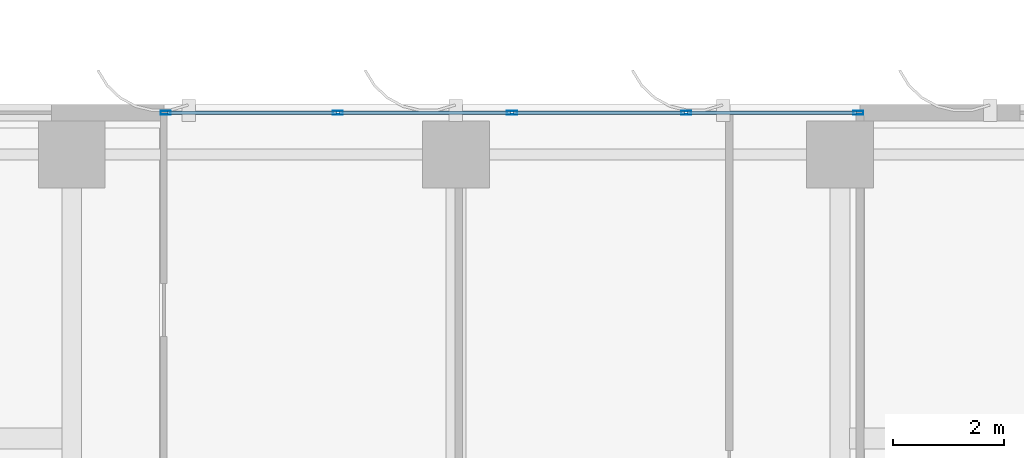
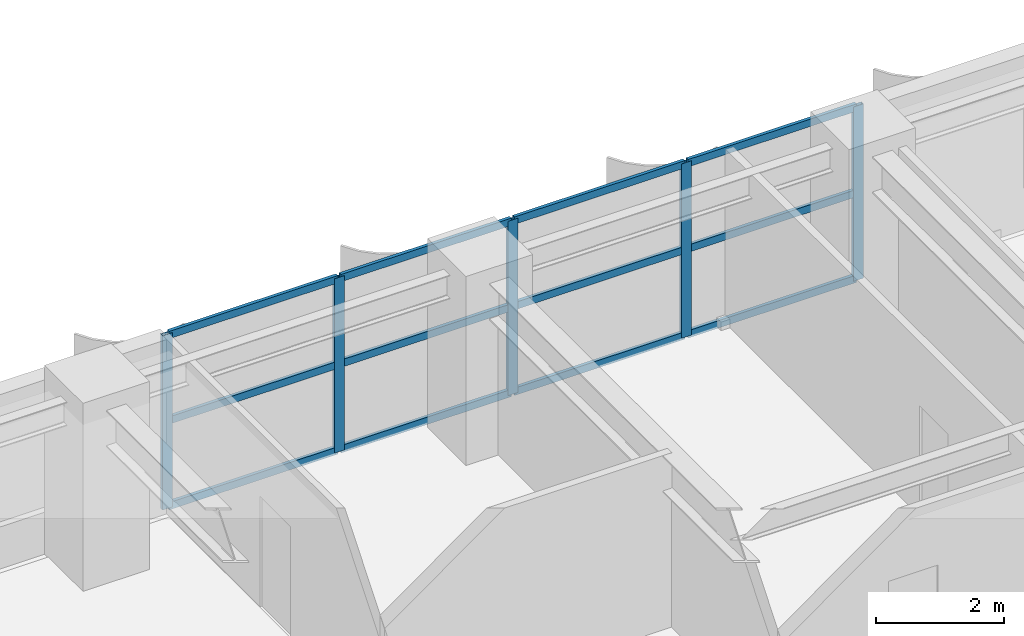
# One storey, part 11 of 23: 17 members, 1 element without a shape of its own.
"""IFC4 building model written with IfcOpenShell, lengths in metres."""

import ifcopenshell
import ifcopenshell.guid

model = None  # the IFC model being written
_history = None  # IfcOwnerHistory: only IFC2X3 demands one
_inside = {}  # id of a spatial element -> (the spatial element, [elements in it])
_under = {}  # id of a project, library or spatial element -> (it, [spatial elements below it])
_declared = {}  # id of a project -> (the project, [libraries it declares])
_typed = {}  # id of a type object -> (the type object, [elements of that type])
_made_of = {}  # id of a material, layer set ... -> (it, [elements and type objects made of it])


def new_model(schema):
    """Start an empty IFC model of exactly this schema.

    Asked for "IFC4X3", IfcOpenShell would pick the latest addendum, in which some entities
    have other attributes; the version numbers below select the first issue.
    IFC2X3 requires an IfcOwnerHistory on every rooted entity: one is made here for all.
    """
    global model, _history
    if schema == "IFC4X3":
        model = ifcopenshell.file(schema_version=(4, 3, 0, 0))
    else:
        model = ifcopenshell.file(schema=schema)
    _inside.clear()
    _under.clear()
    _declared.clear()
    _typed.clear()
    _made_of.clear()
    _history = None
    if model.schema == "IFC2X3":
        org = make("IfcOrganization", Name="unknown")
        user = make(
            "IfcPersonAndOrganization",
            ThePerson=make("IfcPerson", FamilyName="unknown"),
            TheOrganization=org,
        )
        app = make(
            "IfcApplication",
            ApplicationDeveloper=org,
            Version="unknown",
            ApplicationFullName="unknown",
            ApplicationIdentifier="unknown",
        )
        _history = make(
            "IfcOwnerHistory",
            OwningUser=user,
            OwningApplication=app,
            ChangeAction="ADDED",
            CreationDate=0,
        )
    return model


def make(cls, **values):
    """One entity of the class cls with the attributes given. An attribute that is None is left unset."""
    return model.create_entity(
        cls, **{name: value for name, value in values.items() if value is not None}
    )


def rooted(cls, **values):
    """An entity with a GlobalId (a new one), such as an element, a storey or a relation."""
    return make(cls, GlobalId=ifcopenshell.guid.new(), OwnerHistory=_history, **values)


def si_unit(unit_type, name, prefix=None):
    """IfcSIUnit, for example si_unit("LENGTHUNIT", "METRE", prefix="MILLI")."""
    return make("IfcSIUnit", UnitType=unit_type, Prefix=prefix, Name=name)


def assignment(units):
    """IfcUnitAssignment: the units of a project."""
    return None if units is None else make("IfcUnitAssignment", Units=units)


def point(xyz):
    """IfcCartesianPoint."""
    return None if xyz is None else make("IfcCartesianPoint", Coordinates=xyz)


def direction(xyz):
    """IfcDirection."""
    return None if xyz is None else make("IfcDirection", DirectionRatios=xyz)


def frame(location, z_axis=None, x_axis=None):
    """IfcAxis2Placement3D, a coordinate frame: its origin and axes. An axis left out is left unset."""
    return make(
        "IfcAxis2Placement3D",
        Location=point(location),
        Axis=direction(z_axis),
        RefDirection=direction(x_axis),
    )


def frame_2d(location, x_axis=None):
    """IfcAxis2Placement2D, a coordinate frame in the plane: its origin and x axis."""
    return make(
        "IfcAxis2Placement2D", Location=point(location), RefDirection=direction(x_axis)
    )


def origin():
    """The frame at (0, 0, 0) with its axes left unset."""
    return frame((0.0, 0.0, 0.0))


def origin_2d():
    """The frame at (0, 0) in the plane with its x axis left unset."""
    return frame_2d((0.0, 0.0))


def place(relative_to, where):
    """IfcLocalPlacement: puts the frame where relative to a parent placement (None: the world)."""
    return make(
        "IfcLocalPlacement", PlacementRelTo=relative_to, RelativePlacement=where
    )


def context(
    kind, dimensions, precision=None, world=None, true_north=None, identifier=None
):
    """IfcGeometricRepresentationContext, for example the 3D "Model" context."""
    return make(
        "IfcGeometricRepresentationContext",
        ContextIdentifier=identifier,
        ContextType=kind,
        CoordinateSpaceDimension=dimensions,
        Precision=precision,
        WorldCoordinateSystem=world,
        TrueNorth=true_north,
    )


def subcontext(parent, identifier, kind, view, scale=None):
    """IfcGeometricRepresentationSubContext, for example "Body" below "Model"."""
    return make(
        "IfcGeometricRepresentationSubContext",
        ContextIdentifier=identifier,
        ContextType=kind,
        ParentContext=parent,
        TargetScale=scale,
        TargetView=view,
    )


def project(units=None, contexts=None):
    """IfcProject with its units and contexts."""
    return rooted(
        "IfcProject",
        Name="project",
        RepresentationContexts=contexts,
        UnitsInContext=assignment(units),
    )


def spatial(cls, under=None, at=None, **own):
    """A site, building, storey or space (cls), placed at a placement, below another one or the project."""
    s = rooted(cls, ObjectPlacement=at, **own)
    if under is not None:
        _under.setdefault(under.id(), (under, []))[1].append(s)
    return s


def profile(cls, at=None, kind="AREA", **sizes):
    """A parametric profile (cls). Its sizes go by their IFC names, for example OverallWidth=200.0."""
    return make(cls, ProfileType=kind, Position=at, **sizes)


def hollow_rectangle(**sizes):
    """IfcRectangleHollowProfileDef."""
    return profile("IfcRectangleHollowProfileDef", **sizes)


def extrude(swept, where, along, depth):
    """IfcExtrudedAreaSolid: the profile swept, set in the frame where, extruded along a direction by depth."""
    return make(
        "IfcExtrudedAreaSolid",
        SweptArea=swept,
        Position=where,
        ExtrudedDirection=direction(along),
        Depth=depth,
    )


def shape(context_of_items, identifier, shape_type, items):
    """IfcShapeRepresentation: the items that make up one representation, for example the "Body"."""
    return make(
        "IfcShapeRepresentation",
        ContextOfItems=context_of_items,
        RepresentationIdentifier=identifier,
        RepresentationType=shape_type,
        Items=items,
    )


def source(mapping_origin, context_of_items, identifier, shape_type, items):
    """IfcRepresentationMap: a shape defined once, which mapped items show again and again."""
    return make(
        "IfcRepresentationMap",
        MappingOrigin=mapping_origin,
        MappedRepresentation=shape(context_of_items, identifier, shape_type, items),
    )


def transform(
    local_origin,
    x_axis=None,
    y_axis=None,
    z_axis=None,
    scale=None,
    scale2=None,
    scale3=None,
    uniform=True,
):
    """IfcCartesianTransformationOperator3D, or its non-uniform kind. x_axis, y_axis, z_axis: its Axis1, 2, 3."""
    if uniform:
        return make(
            "IfcCartesianTransformationOperator3D",
            Axis1=direction(x_axis),
            Axis2=direction(y_axis),
            LocalOrigin=point(local_origin),
            Scale=scale,
            Axis3=direction(z_axis),
        )
    return make(
        "IfcCartesianTransformationOperator3DnonUniform",
        Axis1=direction(x_axis),
        Axis2=direction(y_axis),
        LocalOrigin=point(local_origin),
        Scale=scale,
        Axis3=direction(z_axis),
        Scale2=scale2,
        Scale3=scale3,
    )


def mapped(mapping_source, mapping_target):
    """IfcMappedItem: shows the shape of a source again, moved by a transform."""
    return make(
        "IfcMappedItem", MappingSource=mapping_source, MappingTarget=mapping_target
    )


def material(Name=None, Category=None):
    """IfcMaterial."""
    return make("IfcMaterial", Name=Name, Category=Category)


def layer(
    of_material, thickness, ventilated=None, Name=None, Category=None, Priority=None
):
    """IfcMaterialLayer: one layer of a wall or slab, of a material (None: an air gap)."""
    return make(
        "IfcMaterialLayer",
        Material=of_material,
        LayerThickness=thickness,
        IsVentilated=ventilated,
        Name=Name,
        Category=Category,
        Priority=Priority,
    )


def layer_set(layers, Name=None):
    """IfcMaterialLayerSet."""
    return make("IfcMaterialLayerSet", MaterialLayers=layers, LayerSetName=Name)


def material_profile(
    of_material, cross_section, Name=None, Category=None, Priority=None
):
    """IfcMaterialProfile: a cross section and its material."""
    return make(
        "IfcMaterialProfile",
        Name=Name,
        Material=of_material,
        Profile=cross_section,
        Priority=Priority,
        Category=Category,
    )


def profile_set(profiles, Name=None, composite=None):
    """IfcMaterialProfileSet."""
    return make(
        "IfcMaterialProfileSet",
        Name=Name,
        MaterialProfiles=profiles,
        CompositeProfile=composite,
    )


def made_of(thing, what):
    """Note that an element or type object is made of a material, layer set ...; save() writes the relation."""
    if what is not None:
        _made_of.setdefault(what.id(), (what, []))[1].append(thing)
    return thing


def type_object(cls, material=None, **own):
    """A type object (cls), such as IfcWallType, which elements share."""
    return made_of(rooted(cls, **own), material)


def element(
    cls,
    number,
    at=None,
    inside=None,
    cuts=None,
    type_object=None,
    material=None,
    context=None,
    identifier="Body",
    shape_type=None,
    held_by="IfcProductDefinitionShape",
    body=None,
    shapes=None,
    **own,
):
    """One element of the class cls, such as IfcWall. Its Tag is "e" and its number.

    at: its placement. inside: the storey or other place that contains it. cuts: it is an
    opening in that element (IfcRelVoidsElement). A single representation is given by context,
    identifier, shape_type and body (its items); several are given by shapes. held_by: the class
    of the entity that holds the representations. save() writes the other relations.
    """
    e = rooted(cls, Tag="e%d" % number, ObjectPlacement=at, **own)
    if body is not None:
        shapes = [shape(context, identifier, shape_type, body)]
    if shapes is not None:
        e.Representation = make(held_by, Representations=shapes)
    if inside is not None:
        _inside.setdefault(inside.id(), (inside, []))[1].append(e)
    if cuts is not None:
        rooted(
            "IfcRelVoidsElement", RelatingBuildingElement=cuts, RelatedOpeningElement=e
        )
    if type_object is not None:
        _typed.setdefault(type_object.id(), (type_object, []))[1].append(e)
    return made_of(e, material)


def aggregate(whole, parts):
    """IfcRelAggregates: a whole, such as a stair, and the parts it consists of."""
    return rooted("IfcRelAggregates", RelatingObject=whole, RelatedObjects=parts)


def save(model, path):
    """Write the relations noted so far, then the file.

    IfcRelAggregates (storeys below a building ...), IfcRelContainedInSpatialStructure (elements
    in a storey), IfcRelDefinesByType, IfcRelAssociatesMaterial and IfcRelDeclares: one each for
    every whole, place, type object, material and project.
    """
    for whole, parts in _under.values():
        aggregate(whole, parts)
    for where, things in _inside.values():
        rooted(
            "IfcRelContainedInSpatialStructure",
            RelatedElements=things,
            RelatingStructure=where,
        )
    for kind, things in _typed.values():
        rooted("IfcRelDefinesByType", RelatedObjects=things, RelatingType=kind)
    for what, things in _made_of.values():
        rooted("IfcRelAssociatesMaterial", RelatedObjects=things, RelatingMaterial=what)
    for by, libraries in _declared.values():
        rooted("IfcRelDeclares", RelatingContext=by, RelatedDefinitions=libraries)
    model.write(path)


model = new_model("IFC4")

# Units and contexts
model_context = context("Model", 3, precision=1e-05, world=origin(), true_north=direction((0.0, 1.0)))
body_context = subcontext(model_context, "Body", "Model", "MODEL_VIEW")
ifc_project = project(units=[si_unit("LENGTHUNIT", "METRE"), si_unit("AREAUNIT", "SQUARE_METRE"), si_unit("VOLUMEUNIT", "CUBIC_METRE"), si_unit("PLANEANGLEUNIT", "RADIAN"), si_unit("MASSUNIT", "GRAM", prefix="KILO")], contexts=[model_context])

# Site, building, storey
site_placement = place(None, origin())
site = spatial("IfcSite", under=ifc_project, at=site_placement, CompositionType="ELEMENT")
building_placement = place(site_placement, origin())
building = spatial("IfcBuilding", under=site, at=building_placement, Name="Khoralis Quay Care Tower", CompositionType="ELEMENT")
storey_placement = place(building_placement, frame((0.0, 0.0, 36.89990234375)))
storey = spatial("IfcBuildingStorey", under=building, at=storey_placement, Name="L09", CompositionType="ELEMENT", Elevation=36.89990234375)

# Curtain wall, members
ifc_material = material(Name="Pale anodised aluminium", Category="aluminium")
ifc_layer = layer(ifc_material, 0.179931640625)
ifc_layer_set = layer_set([ifc_layer], Name="Pale anodised aluminium")
curtain_wall_type = type_object("IfcCurtainWallType", Name="CW-SYS-Z1", PredefinedType="NOTDEFINED", material=ifc_layer_set)
curtain_wall_placement = place(storey_placement, origin())
curtain_wall = element("IfcCurtainWall", 1, at=curtain_wall_placement, inside=storey, type_object=curtain_wall_type, Name="L09 Unitised Curtain Wall CW-L09-P1-E10", PredefinedType="NOTDEFINED")
ifc_material_profile_1 = material_profile(ifc_material, hollow_rectangle(XDim=0.06494140625, YDim=0.179931640625, WallThickness=0.00390625, at=origin_2d()), Name="Pale anodised aluminium")
ifc_profile_set_1 = profile_set([ifc_material_profile_1], Name="Pale anodised aluminium")
member_type_1 = type_object("IfcMemberType", Name="CW-MUL-180", PredefinedType="MULLION", material=ifc_profile_set_1)
shared_shape_1 = source(origin(), body_context, "Body", "SweptSolid", [
    extrude(hollow_rectangle(XDim=0.06494140625, YDim=0.179931640625, WallThickness=0.00390625, at=origin_2d()), origin(), (0.0, 0.0, 1.0), 3.320068359375),
])
member_1_placement = place(storey_placement, frame((31.22998046875, 47.85009765625, 0.0), z_axis=(0.0, 0.0, 1.0), x_axis=(0.0, -1.0, 0.0)))
member_1 = element("IfcMember", 2, at=member_1_placement, type_object=member_type_1, Name="CW1 mullion 1", PredefinedType="MULLION", context=body_context, shape_type="MappedRepresentation", body=[
    mapped(shared_shape_1, transform((0.0, 0.0, 0.0), scale=1.0)),
])
member_2_placement = place(storey_placement, frame((28.134033203125, 47.85009765625, 0.0), z_axis=(0.0, 0.0, 1.0), x_axis=(0.0, -1.0, 0.0)))
member_2 = element("IfcMember", 3, at=member_2_placement, type_object=member_type_1, Name="CW1 mullion 2", PredefinedType="MULLION", context=body_context, shape_type="MappedRepresentation", body=[
    mapped(shared_shape_1, transform((0.0, 0.0, 0.0), scale=1.0)),
])
member_3_placement = place(storey_placement, frame((25.008056640625, 47.85009765625, 0.0), z_axis=(0.0, 0.0, 1.0), x_axis=(0.0, -1.0, 0.0)))
member_3 = element("IfcMember", 4, at=member_3_placement, type_object=member_type_1, Name="CW1 mullion 3", PredefinedType="MULLION", context=body_context, shape_type="MappedRepresentation", body=[
    mapped(shared_shape_1, transform((0.0, 0.0, 0.0), scale=1.0)),
])
member_4_placement = place(storey_placement, frame((21.882080078125, 47.85009765625, 0.0), z_axis=(0.0, 0.0, 1.0), x_axis=(0.0, -1.0, 0.0)))
member_4 = element("IfcMember", 5, at=member_4_placement, type_object=member_type_1, Name="CW1 mullion 4", PredefinedType="MULLION", context=body_context, shape_type="MappedRepresentation", body=[
    mapped(shared_shape_1, transform((0.0, 0.0, 0.0), scale=1.0)),
])
member_5_placement = place(storey_placement, frame((18.785888671875, 47.85009765625, 0.0), z_axis=(0.0, 0.0, 1.0), x_axis=(0.0, -1.0, 0.0)))
member_5 = element("IfcMember", 6, at=member_5_placement, type_object=member_type_1, Name="CW1 mullion 5", PredefinedType="MULLION", context=body_context, shape_type="MappedRepresentation", body=[
    mapped(shared_shape_1, transform((0.0, 0.0, 0.0), scale=1.0)),
])
ifc_material_profile_2 = material_profile(ifc_material, hollow_rectangle(XDim=0.06005859375, YDim=0.139892578125, WallThickness=0.00390625, at=origin_2d()), Name="Pale anodised aluminium")
ifc_profile_set_2 = profile_set([ifc_material_profile_2], Name="Pale anodised aluminium")
member_type_2 = type_object("IfcMemberType", Name="CW-TRN-140", PredefinedType="USERDEFINED", material=ifc_profile_set_2)
shared_shape_2 = source(origin(), body_context, "Body", "SweptSolid", [
    extrude(hollow_rectangle(XDim=0.06005859375, YDim=0.139892578125, WallThickness=0.00390625, at=origin_2d()), origin(), (0.0, 0.0, 1.0), 3.035888671875),
])
member_6_placement = place(storey_placement, frame((31.199951171875, 47.85009765625, 0.030029296875), z_axis=(-1.0, 0.0, 0.0), x_axis=(0.0, -1.0, 0.0)))
member_6 = element("IfcMember", 7, at=member_6_placement, type_object=member_type_2, Name="CW1 transom 1.1", ObjectType="TRANSOM", PredefinedType="USERDEFINED", context=body_context, shape_type="MappedRepresentation", body=[
    mapped(shared_shape_2, transform((0.0, 0.0, 0.0), scale=1.0)),
])
member_7_placement = place(storey_placement, frame((31.199951171875, 47.85009765625, 1.66015625), z_axis=(-1.0, 0.0, 0.0), x_axis=(0.0, -1.0, 0.0)))
member_7 = element("IfcMember", 8, at=member_7_placement, type_object=member_type_2, Name="CW1 transom 1.2", ObjectType="TRANSOM", PredefinedType="USERDEFINED", context=body_context, shape_type="MappedRepresentation", body=[
    mapped(shared_shape_2, transform((0.0, 0.0, 0.0), scale=1.0)),
])
member_8_placement = place(storey_placement, frame((31.199951171875, 47.85009765625, 3.2900390625), z_axis=(-1.0, 0.0, 0.0), x_axis=(0.0, -1.0, 0.0)))
member_8 = element("IfcMember", 9, at=member_8_placement, type_object=member_type_2, Name="CW1 transom 1.3", ObjectType="TRANSOM", PredefinedType="USERDEFINED", context=body_context, shape_type="MappedRepresentation", body=[
    mapped(shared_shape_2, transform((0.0, 0.0, 0.0), scale=1.0)),
])
shared_shape_3 = source(origin(), body_context, "Body", "SweptSolid", [
    extrude(hollow_rectangle(XDim=0.06005859375, YDim=0.139892578125, WallThickness=0.00390625, at=origin_2d()), origin(), (0.0, 0.0, 1.0), 3.06591796875),
])
member_9_placement = place(storey_placement, frame((28.10400390625, 47.85009765625, 0.030029296875), z_axis=(-1.0, 0.0, 0.0), x_axis=(0.0, -1.0, 0.0)))
member_9 = element("IfcMember", 10, at=member_9_placement, type_object=member_type_2, Name="CW1 transom 2.1", ObjectType="TRANSOM", PredefinedType="USERDEFINED", context=body_context, shape_type="MappedRepresentation", body=[
    mapped(shared_shape_3, transform((0.0, 0.0, 0.0), scale=1.0)),
])
member_10_placement = place(storey_placement, frame((28.10400390625, 47.85009765625, 1.66015625), z_axis=(-1.0, 0.0, 0.0), x_axis=(0.0, -1.0, 0.0)))
member_10 = element("IfcMember", 11, at=member_10_placement, type_object=member_type_2, Name="CW1 transom 2.2", ObjectType="TRANSOM", PredefinedType="USERDEFINED", context=body_context, shape_type="MappedRepresentation", body=[
    mapped(shared_shape_3, transform((0.0, 0.0, 0.0), scale=1.0)),
])
member_11_placement = place(storey_placement, frame((28.10400390625, 47.85009765625, 3.2900390625), z_axis=(-1.0, 0.0, 0.0), x_axis=(0.0, -1.0, 0.0)))
member_11 = element("IfcMember", 12, at=member_11_placement, type_object=member_type_2, Name="CW1 transom 2.3", ObjectType="TRANSOM", PredefinedType="USERDEFINED", context=body_context, shape_type="MappedRepresentation", body=[
    mapped(shared_shape_3, transform((0.0, 0.0, 0.0), scale=1.0)),
])
member_12_placement = place(storey_placement, frame((24.97802734375, 47.85009765625, 0.030029296875), z_axis=(-1.0, 0.0, 0.0), x_axis=(0.0, -1.0, 0.0)))
member_12 = element("IfcMember", 13, at=member_12_placement, type_object=member_type_2, Name="CW1 transom 3.1", ObjectType="TRANSOM", PredefinedType="USERDEFINED", context=body_context, shape_type="MappedRepresentation", body=[
    mapped(shared_shape_3, transform((0.0, 0.0, 0.0), scale=1.0)),
])
member_13_placement = place(storey_placement, frame((24.97802734375, 47.85009765625, 1.66015625), z_axis=(-1.0, 0.0, 0.0), x_axis=(0.0, -1.0, 0.0)))
member_13 = element("IfcMember", 14, at=member_13_placement, type_object=member_type_2, Name="CW1 transom 3.2", ObjectType="TRANSOM", PredefinedType="USERDEFINED", context=body_context, shape_type="MappedRepresentation", body=[
    mapped(shared_shape_3, transform((0.0, 0.0, 0.0), scale=1.0)),
])
member_14_placement = place(storey_placement, frame((24.97802734375, 47.85009765625, 3.2900390625), z_axis=(-1.0, 0.0, 0.0), x_axis=(0.0, -1.0, 0.0)))
member_14 = element("IfcMember", 15, at=member_14_placement, type_object=member_type_2, Name="CW1 transom 3.3", ObjectType="TRANSOM", PredefinedType="USERDEFINED", context=body_context, shape_type="MappedRepresentation", body=[
    mapped(shared_shape_3, transform((0.0, 0.0, 0.0), scale=1.0)),
])
shared_shape_4 = source(origin(), body_context, "Body", "SweptSolid", [
    extrude(hollow_rectangle(XDim=0.06005859375, YDim=0.139892578125, WallThickness=0.00390625, at=origin_2d()), origin(), (0.0, 0.0, 1.0), 3.0361328125),
])
member_15_placement = place(storey_placement, frame((21.85205078125, 47.85009765625, 0.030029296875), z_axis=(-1.0, 0.0, 0.0), x_axis=(0.0, -1.0, 0.0)))
member_15 = element("IfcMember", 16, at=member_15_placement, type_object=member_type_2, Name="CW1 transom 4.1", ObjectType="TRANSOM", PredefinedType="USERDEFINED", context=body_context, shape_type="MappedRepresentation", body=[
    mapped(shared_shape_4, transform((0.0, 0.0, 0.0), scale=1.0)),
])
member_16_placement = place(storey_placement, frame((21.85205078125, 47.85009765625, 1.66015625), z_axis=(-1.0, 0.0, 0.0), x_axis=(0.0, -1.0, 0.0)))
member_16 = element("IfcMember", 17, at=member_16_placement, type_object=member_type_2, Name="CW1 transom 4.2", ObjectType="TRANSOM", PredefinedType="USERDEFINED", context=body_context, shape_type="MappedRepresentation", body=[
    mapped(shared_shape_4, transform((0.0, 0.0, 0.0), scale=1.0)),
])
member_17_placement = place(storey_placement, frame((21.85205078125, 47.85009765625, 3.2900390625), z_axis=(-1.0, 0.0, 0.0), x_axis=(0.0, -1.0, 0.0)))
member_17 = element("IfcMember", 18, at=member_17_placement, type_object=member_type_2, Name="CW1 transom 4.3", ObjectType="TRANSOM", PredefinedType="USERDEFINED", context=body_context, shape_type="MappedRepresentation", body=[
    mapped(shared_shape_4, transform((0.0, 0.0, 0.0), scale=1.0)),
])
aggregate(curtain_wall, [member_1, member_2, member_3, member_4, member_5, member_6, member_7, member_8, member_9, member_10, member_11, member_12, member_13, member_14, member_15, member_16, member_17])

save(model, "model.ifc")
